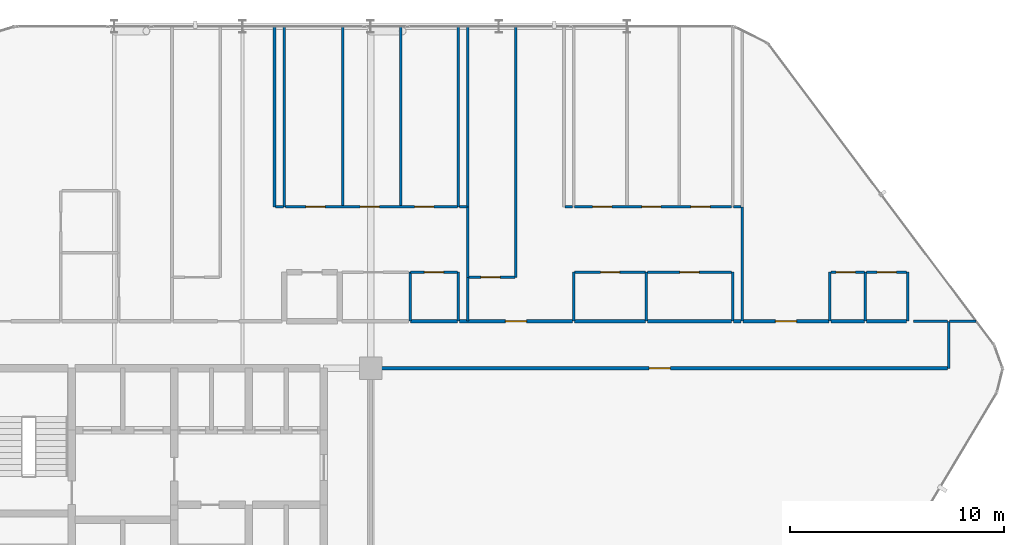
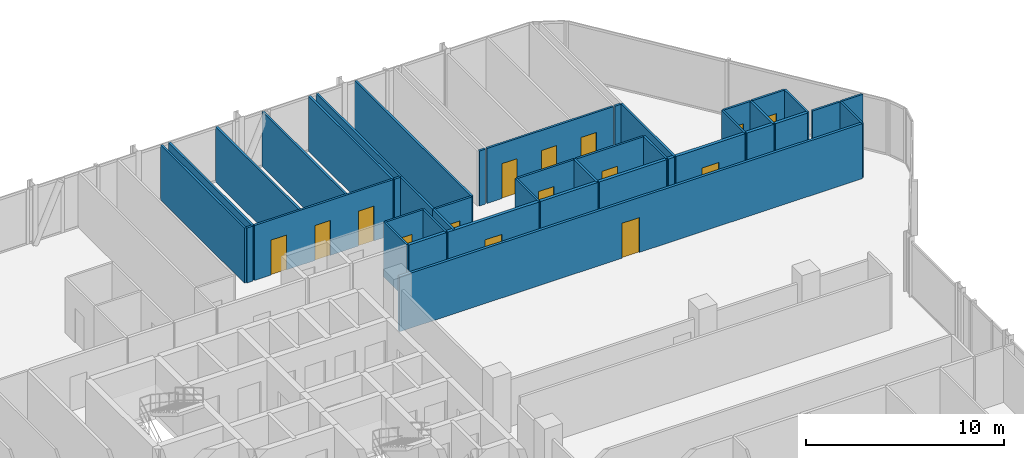
# One storey, part 27 of 29: 42 walls, 15 doors, 15 openings.
"""IFC4 building model written with IfcOpenShell, lengths in metres."""

import ifcopenshell
import ifcopenshell.guid

model = None  # the IFC model being written
_history = None  # IfcOwnerHistory: only IFC2X3 demands one
_inside = {}  # id of a spatial element -> (the spatial element, [elements in it])
_under = {}  # id of a project, library or spatial element -> (it, [spatial elements below it])
_declared = {}  # id of a project -> (the project, [libraries it declares])
_typed = {}  # id of a type object -> (the type object, [elements of that type])
_made_of = {}  # id of a material, layer set ... -> (it, [elements and type objects made of it])


def new_model(schema):
    """Start an empty IFC model of exactly this schema.

    Asked for "IFC4X3", IfcOpenShell would pick the latest addendum, in which some entities
    have other attributes; the version numbers below select the first issue.
    IFC2X3 requires an IfcOwnerHistory on every rooted entity: one is made here for all.
    """
    global model, _history
    if schema == "IFC4X3":
        model = ifcopenshell.file(schema_version=(4, 3, 0, 0))
    else:
        model = ifcopenshell.file(schema=schema)
    _inside.clear()
    _under.clear()
    _declared.clear()
    _typed.clear()
    _made_of.clear()
    _history = None
    if model.schema == "IFC2X3":
        org = make("IfcOrganization", Name="unknown")
        user = make(
            "IfcPersonAndOrganization",
            ThePerson=make("IfcPerson", FamilyName="unknown"),
            TheOrganization=org,
        )
        app = make(
            "IfcApplication",
            ApplicationDeveloper=org,
            Version="unknown",
            ApplicationFullName="unknown",
            ApplicationIdentifier="unknown",
        )
        _history = make(
            "IfcOwnerHistory",
            OwningUser=user,
            OwningApplication=app,
            ChangeAction="ADDED",
            CreationDate=0,
        )
    return model


def make(cls, **values):
    """One entity of the class cls with the attributes given. An attribute that is None is left unset."""
    return model.create_entity(
        cls, **{name: value for name, value in values.items() if value is not None}
    )


def rooted(cls, **values):
    """An entity with a GlobalId (a new one), such as an element, a storey or a relation."""
    return make(cls, GlobalId=ifcopenshell.guid.new(), OwnerHistory=_history, **values)


def si_unit(unit_type, name, prefix=None):
    """IfcSIUnit, for example si_unit("LENGTHUNIT", "METRE", prefix="MILLI")."""
    return make("IfcSIUnit", UnitType=unit_type, Prefix=prefix, Name=name)


def assignment(units):
    """IfcUnitAssignment: the units of a project."""
    return None if units is None else make("IfcUnitAssignment", Units=units)


def point(xyz):
    """IfcCartesianPoint."""
    return None if xyz is None else make("IfcCartesianPoint", Coordinates=xyz)


def direction(xyz):
    """IfcDirection."""
    return None if xyz is None else make("IfcDirection", DirectionRatios=xyz)


def frame(location, z_axis=None, x_axis=None):
    """IfcAxis2Placement3D, a coordinate frame: its origin and axes. An axis left out is left unset."""
    return make(
        "IfcAxis2Placement3D",
        Location=point(location),
        Axis=direction(z_axis),
        RefDirection=direction(x_axis),
    )


def frame_2d(location, x_axis=None):
    """IfcAxis2Placement2D, a coordinate frame in the plane: its origin and x axis."""
    return make(
        "IfcAxis2Placement2D", Location=point(location), RefDirection=direction(x_axis)
    )


def origin():
    """The frame at (0, 0, 0) with its axes left unset."""
    return frame((0.0, 0.0, 0.0))


def place(relative_to, where):
    """IfcLocalPlacement: puts the frame where relative to a parent placement (None: the world)."""
    return make(
        "IfcLocalPlacement", PlacementRelTo=relative_to, RelativePlacement=where
    )


def context(
    kind, dimensions, precision=None, world=None, true_north=None, identifier=None
):
    """IfcGeometricRepresentationContext, for example the 3D "Model" context."""
    return make(
        "IfcGeometricRepresentationContext",
        ContextIdentifier=identifier,
        ContextType=kind,
        CoordinateSpaceDimension=dimensions,
        Precision=precision,
        WorldCoordinateSystem=world,
        TrueNorth=true_north,
    )


def subcontext(parent, identifier, kind, view, scale=None):
    """IfcGeometricRepresentationSubContext, for example "Body" below "Model"."""
    return make(
        "IfcGeometricRepresentationSubContext",
        ContextIdentifier=identifier,
        ContextType=kind,
        ParentContext=parent,
        TargetScale=scale,
        TargetView=view,
    )


def project(units=None, contexts=None):
    """IfcProject with its units and contexts."""
    return rooted(
        "IfcProject",
        Name="project",
        RepresentationContexts=contexts,
        UnitsInContext=assignment(units),
    )


def spatial(cls, under=None, at=None, **own):
    """A site, building, storey or space (cls), placed at a placement, below another one or the project."""
    s = rooted(cls, ObjectPlacement=at, **own)
    if under is not None:
        _under.setdefault(under.id(), (under, []))[1].append(s)
    return s


def profile(cls, at=None, kind="AREA", **sizes):
    """A parametric profile (cls). Its sizes go by their IFC names, for example OverallWidth=200.0."""
    return make(cls, ProfileType=kind, Position=at, **sizes)


def rectangle(**sizes):
    """IfcRectangleProfileDef."""
    return profile("IfcRectangleProfileDef", **sizes)


def extrude(swept, where, along, depth):
    """IfcExtrudedAreaSolid: the profile swept, set in the frame where, extruded along a direction by depth."""
    return make(
        "IfcExtrudedAreaSolid",
        SweptArea=swept,
        Position=where,
        ExtrudedDirection=direction(along),
        Depth=depth,
    )


def shape(context_of_items, identifier, shape_type, items):
    """IfcShapeRepresentation: the items that make up one representation, for example the "Body"."""
    return make(
        "IfcShapeRepresentation",
        ContextOfItems=context_of_items,
        RepresentationIdentifier=identifier,
        RepresentationType=shape_type,
        Items=items,
    )


def material(Name=None, Category=None):
    """IfcMaterial."""
    return make("IfcMaterial", Name=Name, Category=Category)


def layer(
    of_material, thickness, ventilated=None, Name=None, Category=None, Priority=None
):
    """IfcMaterialLayer: one layer of a wall or slab, of a material (None: an air gap)."""
    return make(
        "IfcMaterialLayer",
        Material=of_material,
        LayerThickness=thickness,
        IsVentilated=ventilated,
        Name=Name,
        Category=Category,
        Priority=Priority,
    )


def layer_set(layers, Name=None):
    """IfcMaterialLayerSet."""
    return make("IfcMaterialLayerSet", MaterialLayers=layers, LayerSetName=Name)


def made_of(thing, what):
    """Note that an element or type object is made of a material, layer set ...; save() writes the relation."""
    if what is not None:
        _made_of.setdefault(what.id(), (what, []))[1].append(thing)
    return thing


def type_object(cls, material=None, **own):
    """A type object (cls), such as IfcWallType, which elements share."""
    return made_of(rooted(cls, **own), material)


def element(
    cls,
    number,
    at=None,
    inside=None,
    cuts=None,
    type_object=None,
    material=None,
    context=None,
    identifier="Body",
    shape_type=None,
    held_by="IfcProductDefinitionShape",
    body=None,
    shapes=None,
    **own,
):
    """One element of the class cls, such as IfcWall. Its Tag is "e" and its number.

    at: its placement. inside: the storey or other place that contains it. cuts: it is an
    opening in that element (IfcRelVoidsElement). A single representation is given by context,
    identifier, shape_type and body (its items); several are given by shapes. held_by: the class
    of the entity that holds the representations. save() writes the other relations.
    """
    e = rooted(cls, Tag="e%d" % number, ObjectPlacement=at, **own)
    if body is not None:
        shapes = [shape(context, identifier, shape_type, body)]
    if shapes is not None:
        e.Representation = make(held_by, Representations=shapes)
    if inside is not None:
        _inside.setdefault(inside.id(), (inside, []))[1].append(e)
    if cuts is not None:
        rooted(
            "IfcRelVoidsElement", RelatingBuildingElement=cuts, RelatedOpeningElement=e
        )
    if type_object is not None:
        _typed.setdefault(type_object.id(), (type_object, []))[1].append(e)
    return made_of(e, material)


def fill(opening, filler):
    """IfcRelFillsElement: the door or window that sits in an opening."""
    return rooted(
        "IfcRelFillsElement",
        RelatingOpeningElement=opening,
        RelatedBuildingElement=filler,
    )


def aggregate(whole, parts):
    """IfcRelAggregates: a whole, such as a stair, and the parts it consists of."""
    return rooted("IfcRelAggregates", RelatingObject=whole, RelatedObjects=parts)


def save(model, path):
    """Write the relations noted so far, then the file.

    IfcRelAggregates (storeys below a building ...), IfcRelContainedInSpatialStructure (elements
    in a storey), IfcRelDefinesByType, IfcRelAssociatesMaterial and IfcRelDeclares: one each for
    every whole, place, type object, material and project.
    """
    for whole, parts in _under.values():
        aggregate(whole, parts)
    for where, things in _inside.values():
        rooted(
            "IfcRelContainedInSpatialStructure",
            RelatedElements=things,
            RelatingStructure=where,
        )
    for kind, things in _typed.values():
        rooted("IfcRelDefinesByType", RelatedObjects=things, RelatingType=kind)
    for what, things in _made_of.values():
        rooted("IfcRelAssociatesMaterial", RelatedObjects=things, RelatingMaterial=what)
    for by, libraries in _declared.values():
        rooted("IfcRelDeclares", RelatingContext=by, RelatedDefinitions=libraries)
    model.write(path)


model = new_model("IFC4")

# Units and contexts
model_context = context("Model", 3, precision=1e-05, world=origin(), true_north=direction((0.0, 1.0)))
body_context = subcontext(model_context, "Body", "Model", "MODEL_VIEW")
ifc_project = project(units=[si_unit("LENGTHUNIT", "METRE"), si_unit("AREAUNIT", "SQUARE_METRE"), si_unit("VOLUMEUNIT", "CUBIC_METRE"), si_unit("PLANEANGLEUNIT", "RADIAN"), si_unit("MASSUNIT", "GRAM", prefix="KILO")], contexts=[model_context])

# Site, building, storey
site_placement = place(None, origin())
site = spatial("IfcSite", under=ifc_project, at=site_placement, CompositionType="ELEMENT")
building_placement = place(site_placement, origin())
building = spatial("IfcBuilding", under=site, at=building_placement, Name="Keshet Zoharim Tower", CompositionType="ELEMENT")
storey_placement = place(building_placement, frame((0.0, 0.0, 94.60009765625)))
storey = spatial("IfcBuildingStorey", under=building, at=storey_placement, Name="L22", CompositionType="ELEMENT", Elevation=94.60009765625)

# Wall, opening, door
ifc_material_1 = material(Name="Gypsum Plasterboard", Category="gypsum")
ifc_layer_1 = layer(ifc_material_1, 0.14990234375)
ifc_layer_set_1 = layer_set([ifc_layer_1], Name="Gypsum Plasterboard")
wall_type_1 = type_object("IfcWallType", Name="WL-CLIN-150", PredefinedType="STANDARD", material=ifc_layer_set_1)
wall_1_placement = place(storey_placement, frame((33.070068359375, 37.89990234375, 0.0), z_axis=(0.0, 0.0, 1.0), x_axis=(1.0, 0.0, 0.0)))
wall_1 = element("IfcWall", 1, at=wall_1_placement, inside=storey, type_object=wall_type_1, Name="L22 Interior Wall 186", PredefinedType="STANDARD", context=body_context, shape_type="SweptSolid", body=[
    extrude(rectangle(XDim=26.934814453125, YDim=0.14990234375, at=frame_2d((13.46728515625, 0.0))), origin(), (0.0, 0.0, 1.0), 3.385009765625),
])
opening_1_placement = place(wall_1_placement, frame((12.9599609375, 0.0, 0.0)))
opening_1 = element("IfcOpeningElement", 2, at=opening_1_placement, cuts=wall_1, Name="Opening D-F310", PredefinedType="OPENING", context=body_context, shape_type="SweptSolid", body=[
    extrude(rectangle(XDim=1.0, YDim=2.14990234375, at=frame_2d((0.5, 1.074951171875))), frame((0.0, 0.0849609375, 0.0), z_axis=(0.0, -1.0, 0.0), x_axis=(1.0, 0.0, 0.0)), (0.0, 0.0, 1.0), 0.169921875),
])
ifc_material_2 = material(Name="Hardwood Timber", Category="wood")
door_type_1 = type_object("IfcDoorType", Name="DR-FD30-100", OperationType="NOTDEFINED", PredefinedType="DOOR", material=ifc_material_2)
door_1_placement = place(opening_1_placement, origin())
door_1 = element("IfcDoor", 3, at=door_1_placement, inside=storey, type_object=door_type_1, Name="L22 North East Residents Services Suite Door 1", OperationType="SINGLE_SWING_LEFT", OverallHeight=2.14990234375, OverallWidth=1.0, PredefinedType="DOOR", context=body_context, shape_type="SweptSolid", body=[
    extrude(rectangle(XDim=1.0, YDim=2.14990234375, at=frame_2d((0.5, 1.074951171875))), frame((0.0, 0.02490234375, 0.0), z_axis=(0.0, -1.0, 0.0), x_axis=(1.0, 0.0, 0.0)), (0.0, 0.0, 1.0), 0.050048828125),
])
fill(opening_1, door_1)

# Wall
ifc_layer_2 = layer(ifc_material_1, 0.179931640625)
ifc_layer_set_2 = layer_set([ifc_layer_2], Name="Gypsum Plasterboard")
wall_type_2 = type_object("IfcWallType", Name="WL-CORR-180", PredefinedType="STANDARD", material=ifc_layer_set_2)
wall_2_placement = place(storey_placement, frame((34.873046875, 40.10009765625, 0.0), z_axis=(0.0, 0.0, 1.0), x_axis=(1.0, 0.0, 0.0)))
element("IfcWall", 4, at=wall_2_placement, inside=storey, type_object=wall_type_2, Name="L22 Interior Wall 195", PredefinedType="STANDARD", context=body_context, shape_type="SweptSolid", body=[
    extrude(rectangle(XDim=2.19189453125, YDim=0.179931640625, at=frame_2d((1.095947265625, 0.0))), origin(), (0.0, 0.0, 1.0), 3.385009765625),
])

# Wall, opening, door
wall_3_placement = place(storey_placement, frame((37.155029296875, 40.10009765625, 0.0), z_axis=(0.0, 0.0, 1.0), x_axis=(1.0, 0.0, 0.0)))
wall_3 = element("IfcWall", 5, at=wall_3_placement, inside=storey, type_object=wall_type_2, Name="L22 Interior Wall 196", PredefinedType="STANDARD", context=body_context, shape_type="SweptSolid", body=[
    extrude(rectangle(XDim=5.300048828125, YDim=0.179931640625, at=frame_2d((2.64990234375, 0.0))), origin(), (0.0, 0.0, 1.0), 3.385009765625),
])
opening_2_placement = place(wall_3_placement, frame((2.14990234375, 0.0, 0.0)))
opening_2 = element("IfcOpeningElement", 6, at=opening_2_placement, cuts=wall_3, Name="Opening D-F310", PredefinedType="OPENING", context=body_context, shape_type="SweptSolid", body=[
    extrude(rectangle(XDim=1.0, YDim=2.14990234375, at=frame_2d((0.5, 1.074951171875))), frame((0.0, 0.10009765625, 0.0), z_axis=(0.0, -1.0, 0.0), x_axis=(1.0, 0.0, 0.0)), (0.0, 0.0, 1.0), 0.199951171875),
])
door_2_placement = place(opening_2_placement, origin())
door_2 = element("IfcDoor", 7, at=door_2_placement, inside=storey, type_object=door_type_1, Name="Apartment 2207 Entrance Door", OperationType="SINGLE_SWING_RIGHT", OverallHeight=2.14990234375, OverallWidth=1.0, PredefinedType="DOOR", context=body_context, shape_type="SweptSolid", body=[
    extrude(rectangle(XDim=1.0, YDim=2.14990234375, at=frame_2d((0.5, 1.074951171875))), frame((0.0, 0.02490234375, 0.0), z_axis=(0.0, -1.0, 0.0), x_axis=(1.0, 0.0, 0.0)), (0.0, 0.0, 1.0), 0.050048828125),
])
fill(opening_2, door_2)

# Walls
wall_4_placement = place(storey_placement, frame((42.544921875, 40.10009765625, 0.0), z_axis=(0.0, 0.0, 1.0), x_axis=(1.0, 0.0, 0.0)))
element("IfcWall", 8, at=wall_4_placement, inside=storey, type_object=wall_type_2, Name="L22 Interior Wall 197", PredefinedType="STANDARD", context=body_context, shape_type="SweptSolid", body=[
    extrude(rectangle(XDim=3.328125, YDim=0.179931640625, at=frame_2d((1.6640625, 0.0))), origin(), (0.0, 0.0, 1.0), 3.385009765625),
])
wall_5_placement = place(storey_placement, frame((45.962890625, 40.10009765625, 0.0), z_axis=(0.0, 0.0, 1.0), x_axis=(1.0, 0.0, 0.0)))
element("IfcWall", 9, at=wall_5_placement, inside=storey, type_object=wall_type_2, Name="L22 Interior Wall 198", PredefinedType="STANDARD", context=body_context, shape_type="SweptSolid", body=[
    extrude(rectangle(XDim=3.922119140625, YDim=0.179931640625, at=frame_2d((1.9609375, 0.0))), origin(), (0.0, 0.0, 1.0), 3.385009765625),
])
wall_6_placement = place(storey_placement, frame((49.97509765625, 40.10009765625, 0.0), z_axis=(0.0, 0.0, 1.0), x_axis=(1.0, 0.0, 0.0)))
element("IfcWall", 10, at=wall_6_placement, inside=storey, type_object=wall_type_2, Name="L22 Interior Wall 199", PredefinedType="STANDARD", context=body_context, shape_type="SweptSolid", body=[
    extrude(rectangle(XDim=0.35986328125, YDim=0.179931640625, at=frame_2d((0.179931640625, 0.0))), origin(), (0.0, 0.0, 1.0), 3.385009765625),
])

# Wall, opening, door
wall_7_placement = place(storey_placement, frame((50.425048828125, 40.10009765625, 0.0), z_axis=(0.0, 0.0, 1.0), x_axis=(1.0, 0.0, 0.0)))
wall_7 = element("IfcWall", 11, at=wall_7_placement, inside=storey, type_object=wall_type_2, Name="L22 Interior Wall 200", PredefinedType="STANDARD", context=body_context, shape_type="SweptSolid", body=[
    extrude(rectangle(XDim=4.030029296875, YDim=0.179931640625, at=frame_2d((2.01513671875, 0.0))), origin(), (0.0, 0.0, 1.0), 3.385009765625),
])
opening_3_placement = place(wall_7_placement, frame((1.514892578125, 0.0, 0.0)))
opening_3 = element("IfcOpeningElement", 12, at=opening_3_placement, cuts=wall_7, Name="Opening D-F310", PredefinedType="OPENING", context=body_context, shape_type="SweptSolid", body=[
    extrude(rectangle(XDim=1.0, YDim=2.14990234375, at=frame_2d((0.5, 1.074951171875))), frame((0.0, 0.10009765625, 0.0), z_axis=(0.0, -1.0, 0.0), x_axis=(1.0, 0.0, 0.0)), (0.0, 0.0, 1.0), 0.199951171875),
])
door_3_placement = place(opening_3_placement, origin())
door_3 = element("IfcDoor", 13, at=door_3_placement, inside=storey, type_object=door_type_1, Name="Apartment 2208 Entrance Door", OperationType="SINGLE_SWING_LEFT", OverallHeight=2.14990234375, OverallWidth=1.0, PredefinedType="DOOR", context=body_context, shape_type="SweptSolid", body=[
    extrude(rectangle(XDim=1.0, YDim=2.14990234375, at=frame_2d((0.5, 1.074951171875))), frame((0.0, 0.02490234375, 0.0), z_axis=(0.0, -1.0, 0.0), x_axis=(1.0, 0.0, 0.0)), (0.0, 0.0, 1.0), 0.050048828125),
])
fill(opening_3, door_3)

# Walls
wall_8_placement = place(storey_placement, frame((54.544921875, 40.10009765625, 0.0), z_axis=(0.0, 0.0, 1.0), x_axis=(1.0, 0.0, 0.0)))
element("IfcWall", 14, at=wall_8_placement, inside=storey, type_object=wall_type_2, Name="L22 Interior Wall 201", PredefinedType="STANDARD", context=body_context, shape_type="SweptSolid", body=[
    extrude(rectangle(XDim=1.5830078125, YDim=0.179931640625, at=frame_2d((0.79150390625, 0.0))), origin(), (0.0, 0.0, 1.0), 3.385009765625),
])
wall_9_placement = place(storey_placement, frame((56.218017578125, 40.10009765625, 0.0), z_axis=(0.0, 0.0, 1.0), x_axis=(1.0, 0.0, 0.0)))
element("IfcWall", 15, at=wall_9_placement, inside=storey, type_object=wall_type_2, Name="L22 Interior Wall 202", PredefinedType="STANDARD", context=body_context, shape_type="SweptSolid", body=[
    extrude(rectangle(XDim=1.875, YDim=0.179931640625, at=frame_2d((0.9375, 0.0))), origin(), (0.0, 0.0, 1.0), 3.385009765625),
])
ifc_layer_3 = layer(ifc_material_1, 0.1201171875)
ifc_layer_set_3 = layer_set([ifc_layer_3], Name="Gypsum Plasterboard")
wall_type_3 = type_object("IfcWallType", Name="WL-PART-120", PredefinedType="PARTITIONING", material=ifc_layer_set_3)
for number, where, z_axis, x_axis, name in (
    (16, (28.5, 45.449951171875, 0.0), (0.0, 0.0, 1.0), (0.0, 1.0, 0.0), "L22 Interior Wall 055"),
    (17, (28.949951171875, 45.449951171875, 0.0), (0.0, 0.0, 1.0), (0.0, 1.0, 0.0), "L22 Interior Wall 058"),
    (18, (31.699951171875, 45.449951171875, 0.0), (0.0, 0.0, 1.0), (0.0, 1.0, 0.0), "L22 Interior Wall 069"),
    (19, (34.39990234375, 45.449951171875, 0.0), (0.0, 0.0, 1.0), (0.0, 1.0, 0.0), "L22 Interior Wall 077"),
    (20, (37.10009765625, 45.449951171875, 0.0), (0.0, 0.0, 1.0), (0.0, 1.0, 0.0), "L22 Interior Wall 082"),
):
    element("IfcWall", number, at=place(storey_placement, frame(where, z_axis=z_axis, x_axis=x_axis)), inside=storey, type_object=wall_type_3, Name=name, PredefinedType="PARTITIONING", context=body_context, shape_type="SweptSolid", body=[
        extrude(rectangle(XDim=8.43994140625, YDim=0.1201171875, at=frame_2d((4.219970703125, 0.0))), origin(), (0.0, 0.0, 1.0), 3.385009765625),
    ])
wall_10_placement = place(storey_placement, frame((37.550048828125, 40.10009765625, 0.0), z_axis=(0.0, 0.0, 1.0), x_axis=(0.0, 1.0, 0.0)))
element("IfcWall", 21, at=wall_10_placement, inside=storey, type_object=wall_type_3, Name="L22 Interior Wall 085", PredefinedType="PARTITIONING", context=body_context, shape_type="SweptSolid", body=[
    extrude(rectangle(XDim=2.0498046875, YDim=0.1201171875, at=frame_2d((1.02490234375, 0.0))), origin(), (0.0, 0.0, 1.0), 3.385009765625),
])
wall_11_placement = place(storey_placement, frame((37.550048828125, 42.14990234375, 0.0), z_axis=(0.0, 0.0, 1.0), x_axis=(0.0, 1.0, 0.0)))
element("IfcWall", 22, at=wall_11_placement, inside=storey, type_object=wall_type_3, Name="L22 Interior Wall 086", PredefinedType="PARTITIONING", context=body_context, shape_type="SweptSolid", body=[
    extrude(rectangle(XDim=3.300048828125, YDim=0.1201171875, at=frame_2d((1.64990234375, 0.0))), origin(), (0.0, 0.0, 1.0), 3.385009765625),
])
wall_12_placement = place(storey_placement, frame((37.550048828125, 45.449951171875, 0.0), z_axis=(0.0, 0.0, 1.0), x_axis=(0.0, 1.0, 0.0)))
element("IfcWall", 23, at=wall_12_placement, inside=storey, type_object=wall_type_3, Name="L22 Interior Wall 087", PredefinedType="PARTITIONING", context=body_context, shape_type="SweptSolid", body=[
    extrude(rectangle(XDim=8.43994140625, YDim=0.1201171875, at=frame_2d((4.219970703125, 0.0))), origin(), (0.0, 0.0, 1.0), 3.385009765625),
])
wall_13_placement = place(storey_placement, frame((39.800048828125, 42.14990234375, 0.0), z_axis=(0.0, 0.0, 1.0), x_axis=(0.0, 1.0, 0.0)))
element("IfcWall", 24, at=wall_13_placement, inside=storey, type_object=wall_type_3, Name="L22 Interior Wall 089", PredefinedType="PARTITIONING", context=body_context, shape_type="SweptSolid", body=[
    extrude(rectangle(XDim=11.739990234375, YDim=0.1201171875, at=frame_2d((5.8701171875, 0.0))), origin(), (0.0, 0.0, 1.0), 3.385009765625),
])
wall_14_placement = place(storey_placement, frame((42.5, 40.10009765625, 0.0), z_axis=(0.0, 0.0, 1.0), x_axis=(0.0, 1.0, 0.0)))
element("IfcWall", 25, at=wall_14_placement, inside=storey, type_object=wall_type_3, Name="L22 Interior Wall 093", PredefinedType="PARTITIONING", context=body_context, shape_type="SweptSolid", body=[
    extrude(rectangle(XDim=2.2998046875, YDim=0.1201171875, at=frame_2d((1.14990234375, 0.0))), origin(), (0.0, 0.0, 1.0), 3.385009765625),
])
wall_15_placement = place(storey_placement, frame((50.39990234375, 40.10009765625, 0.0), z_axis=(0.0, 0.0, 1.0), x_axis=(0.0, 1.0, 0.0)))
element("IfcWall", 26, at=wall_15_placement, inside=storey, type_object=wall_type_3, Name="L22 Interior Wall 106", PredefinedType="PARTITIONING", context=body_context, shape_type="SweptSolid", body=[
    extrude(rectangle(XDim=5.349853515625, YDim=0.1201171875, at=frame_2d((2.6748046875, 0.0))), origin(), (0.0, 0.0, 1.0), 3.385009765625),
])
wall_16_placement = place(storey_placement, frame((54.5, 40.10009765625, 0.0), z_axis=(0.0, 0.0, 1.0), x_axis=(0.0, 1.0, 0.0)))
element("IfcWall", 27, at=wall_16_placement, inside=storey, type_object=wall_type_3, Name="L22 Interior Wall 110", PredefinedType="PARTITIONING", context=body_context, shape_type="SweptSolid", body=[
    extrude(rectangle(XDim=2.2998046875, YDim=0.1201171875, at=frame_2d((1.14990234375, 0.0))), origin(), (0.0, 0.0, 1.0), 3.385009765625),
])
wall_17_placement = place(storey_placement, frame((60.050048828125, 37.889892578125, 0.0), z_axis=(0.0, 0.0, 1.0), x_axis=(0.0, 1.0, 0.0)))
element("IfcWall", 28, at=wall_17_placement, inside=storey, type_object=wall_type_3, Name="L22 Interior Wall 116", PredefinedType="PARTITIONING", context=body_context, shape_type="SweptSolid", body=[
    extrude(rectangle(XDim=2.2001953125, YDim=0.1201171875, at=frame_2d((1.10009765625, 0.0))), origin(), (0.0, 0.0, 1.0), 3.385009765625),
])
wall_18_placement = place(storey_placement, frame((58.39990234375, 40.10009765625, 0.0), z_axis=(0.0, 0.0, 1.0), x_axis=(1.0, 0.0, 0.0)))
element("IfcWall", 29, at=wall_18_placement, inside=storey, type_object=wall_type_3, Name="L22 Interior Wall 203", PredefinedType="PARTITIONING", context=body_context, shape_type="SweptSolid", body=[
    extrude(rectangle(XDim=1.60498046875, YDim=0.1201171875, at=frame_2d((0.802490234375, 0.0))), origin(), (0.0, 0.0, 1.0), 3.385009765625),
])
wall_19_placement = place(storey_placement, frame((60.094970703125, 40.10009765625, 0.0), z_axis=(0.0, 0.0, 1.0), x_axis=(1.0, 0.0, 0.0)))
element("IfcWall", 30, at=wall_19_placement, inside=storey, type_object=wall_type_3, Name="L22 Interior Wall 204", PredefinedType="PARTITIONING", context=body_context, shape_type="SweptSolid", body=[
    extrude(rectangle(XDim=1.2451171875, YDim=0.1201171875, at=frame_2d((0.62255859375, 0.0))), origin(), (0.0, 0.0, 1.0), 3.385009765625),
])

# Wall, opening, door
wall_20_placement = place(storey_placement, frame((37.60498046875, 42.14990234375, 0.0), z_axis=(0.0, 0.0, 1.0), x_axis=(1.0, 0.0, 0.0)))
wall_20 = element("IfcWall", 31, at=wall_20_placement, inside=storey, type_object=wall_type_3, Name="L22 Interior Wall 206", PredefinedType="PARTITIONING", context=body_context, shape_type="SweptSolid", body=[
    extrude(rectangle(XDim=2.159912109375, YDim=0.1201171875, at=frame_2d((1.080078125, 0.0))), origin(), (0.0, 0.0, 1.0), 3.385009765625),
])
opening_4_placement = place(wall_20_placement, frame((0.552978515625, 0.0, 0.0)))
opening_4 = element("IfcOpeningElement", 32, at=opening_4_placement, cuts=wall_20, Name="Opening D-IN90", PredefinedType="OPENING", context=body_context, shape_type="SweptSolid", body=[
    extrude(rectangle(XDim=0.89990234375, YDim=2.14990234375, at=frame_2d((0.449951171875, 1.074951171875))), frame((0.0, 0.070068359375, 0.0), z_axis=(0.0, -1.0, 0.0), x_axis=(1.0, 0.0, 0.0)), (0.0, 0.0, 1.0), 0.14013671875),
])
door_type_2 = type_object("IfcDoorType", Name="DR-INT-090", OperationType="NOTDEFINED", PredefinedType="DOOR", material=ifc_material_2)
door_4_placement = place(opening_4_placement, origin())
door_4 = element("IfcDoor", 33, at=door_4_placement, inside=storey, type_object=door_type_2, Name="Apartment 2207 Formal Dining Room Door", OperationType="SINGLE_SWING_LEFT", OverallHeight=2.14990234375, OverallWidth=0.89990234375, PredefinedType="DOOR", context=body_context, shape_type="SweptSolid", body=[
    extrude(rectangle(XDim=0.89990234375, YDim=2.14990234375, at=frame_2d((0.449951171875, 1.074951171875))), frame((0.0, 0.02490234375, 0.0), z_axis=(0.0, -1.0, 0.0), x_axis=(1.0, 0.0, 0.0)), (0.0, 0.0, 1.0), 0.050048828125),
])
fill(opening_4, door_4)

wall_21_placement = place(storey_placement, frame((42.544921875, 42.39990234375, 0.0), z_axis=(0.0, 0.0, 1.0), x_axis=(1.0, 0.0, 0.0)))
wall_21 = element("IfcWall", 34, at=wall_21_placement, inside=storey, type_object=wall_type_3, Name="L22 Interior Wall 210", PredefinedType="PARTITIONING", context=body_context, shape_type="SweptSolid", body=[
    extrude(rectangle(XDim=3.328125, YDim=0.1201171875, at=frame_2d((1.6640625, 0.0))), origin(), (0.0, 0.0, 1.0), 3.385009765625),
])
opening_5_placement = place(wall_21_placement, frame((1.214111328125, 0.0, 0.0)))
opening_5 = element("IfcOpeningElement", 35, at=opening_5_placement, cuts=wall_21, Name="Opening D-IN90", PredefinedType="OPENING", context=body_context, shape_type="SweptSolid", body=[
    extrude(rectangle(XDim=0.89990234375, YDim=2.14990234375, at=frame_2d((0.449951171875, 1.074951171875))), frame((0.0, 0.070068359375, 0.0), z_axis=(0.0, -1.0, 0.0), x_axis=(1.0, 0.0, 0.0)), (0.0, 0.0, 1.0), 0.14013671875),
])
door_5_placement = place(opening_5_placement, origin())
door_5 = element("IfcDoor", 36, at=door_5_placement, inside=storey, type_object=door_type_2, Name="Apartment 2207 Kitchen Door", OperationType="SINGLE_SWING_LEFT", OverallHeight=2.14990234375, OverallWidth=0.89990234375, PredefinedType="DOOR", context=body_context, shape_type="SweptSolid", body=[
    extrude(rectangle(XDim=0.89990234375, YDim=2.14990234375, at=frame_2d((0.449951171875, 1.074951171875))), frame((0.0, 0.02490234375, 0.0), z_axis=(0.0, -1.0, 0.0), x_axis=(1.0, 0.0, 0.0)), (0.0, 0.0, 1.0), 0.050048828125),
])
fill(opening_5, door_5)

wall_22_placement = place(storey_placement, frame((54.544921875, 42.39990234375, 0.0), z_axis=(0.0, 0.0, 1.0), x_axis=(1.0, 0.0, 0.0)))
wall_22 = element("IfcWall", 37, at=wall_22_placement, inside=storey, type_object=wall_type_3, Name="L22 Interior Wall 212", PredefinedType="PARTITIONING", context=body_context, shape_type="SweptSolid", body=[
    extrude(rectangle(XDim=1.5830078125, YDim=0.1201171875, at=frame_2d((0.79150390625, 0.0))), origin(), (0.0, 0.0, 1.0), 3.385009765625),
])
opening_6_placement = place(wall_22_placement, frame((0.2490234375, 0.0, 0.0)))
opening_6 = element("IfcOpeningElement", 38, at=opening_6_placement, cuts=wall_22, Name="Opening D-IN90", PredefinedType="OPENING", context=body_context, shape_type="SweptSolid", body=[
    extrude(rectangle(XDim=0.89990234375, YDim=2.14990234375, at=frame_2d((0.449951171875, 1.074951171875))), frame((0.0, 0.070068359375, 0.0), z_axis=(0.0, -1.0, 0.0), x_axis=(1.0, 0.0, 0.0)), (0.0, 0.0, 1.0), 0.14013671875),
])
door_6_placement = place(opening_6_placement, origin())
door_6 = element("IfcDoor", 39, at=door_6_placement, inside=storey, type_object=door_type_2, Name="Apartment 2208 Kitchen Door", OperationType="SINGLE_SWING_LEFT", OverallHeight=2.14990234375, OverallWidth=0.89990234375, PredefinedType="DOOR", context=body_context, shape_type="SweptSolid", body=[
    extrude(rectangle(XDim=0.89990234375, YDim=2.14990234375, at=frame_2d((0.449951171875, 1.074951171875))), frame((0.0, 0.02490234375, 0.0), z_axis=(0.0, -1.0, 0.0), x_axis=(1.0, 0.0, 0.0)), (0.0, 0.0, 1.0), 0.050048828125),
])
fill(opening_6, door_6)

# Wall
wall_23_placement = place(storey_placement, frame((28.554931640625, 45.449951171875, 0.0), z_axis=(0.0, 0.0, 1.0), x_axis=(1.0, 0.0, 0.0)))
element("IfcWall", 40, at=wall_23_placement, inside=storey, type_object=wall_type_3, Name="L22 Interior Wall 215", PredefinedType="PARTITIONING", context=body_context, shape_type="SweptSolid", body=[
    extrude(rectangle(XDim=0.360107421875, YDim=0.1201171875, at=frame_2d((0.18017578125, 0.0))), origin(), (0.0, 0.0, 1.0), 3.385009765625),
])

# Wall, openings, doors
wall_24_placement = place(storey_placement, frame((29.0048828125, 45.449951171875, 0.0), z_axis=(0.0, 0.0, 1.0), x_axis=(1.0, 0.0, 0.0)))
wall_24 = element("IfcWall", 41, at=wall_24_placement, inside=storey, type_object=wall_type_3, Name="L22 Interior Wall 216", PredefinedType="PARTITIONING", context=body_context, shape_type="SweptSolid", body=[
    extrude(rectangle(XDim=8.06005859375, YDim=0.1201171875, at=frame_2d((4.030029296875, 0.0))), origin(), (0.0, 0.0, 1.0), 3.385009765625),
])
opening_7_placement = place(wall_24_placement, frame((0.968017578125, 0.0, 0.0)))
opening_7 = element("IfcOpeningElement", 42, at=opening_7_placement, cuts=wall_24, Name="Opening D-IN90", PredefinedType="OPENING", context=body_context, shape_type="SweptSolid", body=[
    extrude(rectangle(XDim=0.89990234375, YDim=2.14990234375, at=frame_2d((0.449951171875, 1.074951171875))), frame((0.0, 0.070068359375, 0.0), z_axis=(0.0, -1.0, 0.0), x_axis=(1.0, 0.0, 0.0)), (0.0, 0.0, 1.0), 0.14013671875),
])
opening_8_placement = place(wall_24_placement, frame((3.507080078125, 0.0, 0.0)))
opening_8 = element("IfcOpeningElement", 43, at=opening_8_placement, cuts=wall_24, Name="Opening D-IN90", PredefinedType="OPENING", context=body_context, shape_type="SweptSolid", body=[
    extrude(rectangle(XDim=0.89990234375, YDim=2.14990234375, at=frame_2d((0.449951171875, 1.074951171875))), frame((0.0, 0.070068359375, 0.0), z_axis=(0.0, -1.0, 0.0), x_axis=(1.0, 0.0, 0.0)), (0.0, 0.0, 1.0), 0.14013671875),
])
opening_9_placement = place(wall_24_placement, frame((6.051025390625, 0.0, 0.0)))
opening_9 = element("IfcOpeningElement", 44, at=opening_9_placement, cuts=wall_24, Name="Opening D-IN90", PredefinedType="OPENING", context=body_context, shape_type="SweptSolid", body=[
    extrude(rectangle(XDim=0.89990234375, YDim=2.14990234375, at=frame_2d((0.449951171875, 1.074951171875))), frame((0.0, 0.070068359375, 0.0), z_axis=(0.0, -1.0, 0.0), x_axis=(1.0, 0.0, 0.0)), (0.0, 0.0, 1.0), 0.14013671875),
])
door_7_placement = place(opening_7_placement, origin())
door_7 = element("IfcDoor", 45, at=door_7_placement, inside=storey, type_object=door_type_2, Name="Apartment 2206 Bedroom 1 Door", OperationType="SINGLE_SWING_LEFT", OverallHeight=2.14990234375, OverallWidth=0.89990234375, PredefinedType="DOOR", context=body_context, shape_type="SweptSolid", body=[
    extrude(rectangle(XDim=0.89990234375, YDim=2.14990234375, at=frame_2d((0.449951171875, 1.074951171875))), frame((0.0, 0.02490234375, 0.0), z_axis=(0.0, -1.0, 0.0), x_axis=(1.0, 0.0, 0.0)), (0.0, 0.0, 1.0), 0.050048828125),
])
fill(opening_7, door_7)
door_8_placement = place(opening_8_placement, origin())
door_8 = element("IfcDoor", 46, at=door_8_placement, inside=storey, type_object=door_type_2, Name="Apartment 2206 Bedroom 2 Door", OperationType="SINGLE_SWING_RIGHT", OverallHeight=2.14990234375, OverallWidth=0.89990234375, PredefinedType="DOOR", context=body_context, shape_type="SweptSolid", body=[
    extrude(rectangle(XDim=0.89990234375, YDim=2.14990234375, at=frame_2d((0.449951171875, 1.074951171875))), frame((0.0, 0.02490234375, 0.0), z_axis=(0.0, -1.0, 0.0), x_axis=(1.0, 0.0, 0.0)), (0.0, 0.0, 1.0), 0.050048828125),
])
fill(opening_8, door_8)
door_9_placement = place(opening_9_placement, origin())
door_9 = element("IfcDoor", 47, at=door_9_placement, inside=storey, type_object=door_type_2, Name="Apartment 2206 Bedroom 3 Door", OperationType="SINGLE_SWING_LEFT", OverallHeight=2.14990234375, OverallWidth=0.89990234375, PredefinedType="DOOR", context=body_context, shape_type="SweptSolid", body=[
    extrude(rectangle(XDim=0.89990234375, YDim=2.14990234375, at=frame_2d((0.449951171875, 1.074951171875))), frame((0.0, 0.02490234375, 0.0), z_axis=(0.0, -1.0, 0.0), x_axis=(1.0, 0.0, 0.0)), (0.0, 0.0, 1.0), 0.050048828125),
])
fill(opening_9, door_9)

# Walls
wall_25_placement = place(storey_placement, frame((37.155029296875, 45.449951171875, 0.0), z_axis=(0.0, 0.0, 1.0), x_axis=(1.0, 0.0, 0.0)))
element("IfcWall", 48, at=wall_25_placement, inside=storey, type_object=wall_type_3, Name="L22 Interior Wall 217", PredefinedType="PARTITIONING", context=body_context, shape_type="SweptSolid", body=[
    extrude(rectangle(XDim=0.35986328125, YDim=0.1201171875, at=frame_2d((0.179931640625, 0.0))), origin(), (0.0, 0.0, 1.0), 3.385009765625),
])
wall_26_placement = place(storey_placement, frame((42.094970703125, 45.449951171875, 0.0), z_axis=(0.0, 0.0, 1.0), x_axis=(1.0, 0.0, 0.0)))
element("IfcWall", 49, at=wall_26_placement, inside=storey, type_object=wall_type_3, Name="L22 Interior Wall 218", PredefinedType="PARTITIONING", context=body_context, shape_type="SweptSolid", body=[
    extrude(rectangle(XDim=0.360107421875, YDim=0.1201171875, at=frame_2d((0.18017578125, 0.0))), origin(), (0.0, 0.0, 1.0), 3.385009765625),
])

# Wall, openings, doors
wall_27_placement = place(storey_placement, frame((42.544921875, 45.449951171875, 0.0), z_axis=(0.0, 0.0, 1.0), x_axis=(1.0, 0.0, 0.0)))
wall_27 = element("IfcWall", 50, at=wall_27_placement, inside=storey, type_object=wall_type_3, Name="L22 Interior Wall 219", PredefinedType="PARTITIONING", context=body_context, shape_type="SweptSolid", body=[
    extrude(rectangle(XDim=7.340087890625, YDim=0.1201171875, at=frame_2d((3.669921875, 0.0))), origin(), (0.0, 0.0, 1.0), 3.385009765625),
])
opening_10_placement = place(wall_27_placement, frame((0.845947265625, 0.0, 0.0)))
opening_10 = element("IfcOpeningElement", 51, at=opening_10_placement, cuts=wall_27, Name="Opening D-IN90", PredefinedType="OPENING", context=body_context, shape_type="SweptSolid", body=[
    extrude(rectangle(XDim=0.89990234375, YDim=2.14990234375, at=frame_2d((0.449951171875, 1.074951171875))), frame((0.0, 0.070068359375, 0.0), z_axis=(0.0, -1.0, 0.0), x_axis=(1.0, 0.0, 0.0)), (0.0, 0.0, 1.0), 0.14013671875),
])
opening_11_placement = place(wall_27_placement, frame((3.14501953125, 0.0, 0.0)))
opening_11 = element("IfcOpeningElement", 52, at=opening_11_placement, cuts=wall_27, Name="Opening D-IN90", PredefinedType="OPENING", context=body_context, shape_type="SweptSolid", body=[
    extrude(rectangle(XDim=0.89990234375, YDim=2.14990234375, at=frame_2d((0.449951171875, 1.074951171875))), frame((0.0, 0.070068359375, 0.0), z_axis=(0.0, -1.0, 0.0), x_axis=(1.0, 0.0, 0.0)), (0.0, 0.0, 1.0), 0.14013671875),
])
opening_12_placement = place(wall_27_placement, frame((5.448974609375, 0.0, 0.0)))
opening_12 = element("IfcOpeningElement", 53, at=opening_12_placement, cuts=wall_27, Name="Opening D-IN90", PredefinedType="OPENING", context=body_context, shape_type="SweptSolid", body=[
    extrude(rectangle(XDim=0.89990234375, YDim=2.14990234375, at=frame_2d((0.449951171875, 1.074951171875))), frame((0.0, 0.070068359375, 0.0), z_axis=(0.0, -1.0, 0.0), x_axis=(1.0, 0.0, 0.0)), (0.0, 0.0, 1.0), 0.14013671875),
])
door_10_placement = place(opening_10_placement, origin())
door_10 = element("IfcDoor", 54, at=door_10_placement, inside=storey, type_object=door_type_2, Name="Apartment 2207 Bedroom 1 Door", OperationType="SINGLE_SWING_RIGHT", OverallHeight=2.14990234375, OverallWidth=0.89990234375, PredefinedType="DOOR", context=body_context, shape_type="SweptSolid", body=[
    extrude(rectangle(XDim=0.89990234375, YDim=2.14990234375, at=frame_2d((0.449951171875, 1.074951171875))), frame((0.0, 0.02490234375, 0.0), z_axis=(0.0, -1.0, 0.0), x_axis=(1.0, 0.0, 0.0)), (0.0, 0.0, 1.0), 0.050048828125),
])
fill(opening_10, door_10)
door_11_placement = place(opening_11_placement, origin())
door_11 = element("IfcDoor", 55, at=door_11_placement, inside=storey, type_object=door_type_2, Name="Apartment 2207 Bedroom 2 Door", OperationType="SINGLE_SWING_LEFT", OverallHeight=2.14990234375, OverallWidth=0.89990234375, PredefinedType="DOOR", context=body_context, shape_type="SweptSolid", body=[
    extrude(rectangle(XDim=0.89990234375, YDim=2.14990234375, at=frame_2d((0.449951171875, 1.074951171875))), frame((0.0, 0.02490234375, 0.0), z_axis=(0.0, -1.0, 0.0), x_axis=(1.0, 0.0, 0.0)), (0.0, 0.0, 1.0), 0.050048828125),
])
fill(opening_11, door_11)
door_12_placement = place(opening_12_placement, origin())
door_12 = element("IfcDoor", 56, at=door_12_placement, inside=storey, type_object=door_type_2, Name="Apartment 2207 Bedroom 3 Door", OperationType="SINGLE_SWING_RIGHT", OverallHeight=2.14990234375, OverallWidth=0.89990234375, PredefinedType="DOOR", context=body_context, shape_type="SweptSolid", body=[
    extrude(rectangle(XDim=0.89990234375, YDim=2.14990234375, at=frame_2d((0.449951171875, 1.074951171875))), frame((0.0, 0.02490234375, 0.0), z_axis=(0.0, -1.0, 0.0), x_axis=(1.0, 0.0, 0.0)), (0.0, 0.0, 1.0), 0.050048828125),
])
fill(opening_12, door_12)

# Walls
wall_28_placement = place(storey_placement, frame((49.97509765625, 45.449951171875, 0.0), z_axis=(0.0, 0.0, 1.0), x_axis=(1.0, 0.0, 0.0)))
element("IfcWall", 57, at=wall_28_placement, inside=storey, type_object=wall_type_3, Name="L22 Interior Wall 220", PredefinedType="PARTITIONING", context=body_context, shape_type="SweptSolid", body=[
    extrude(rectangle(XDim=0.35986328125, YDim=0.1201171875, at=frame_2d((0.179931640625, 0.0))), origin(), (0.0, 0.0, 1.0), 3.385009765625),
])
ifc_layer_4 = layer(ifc_material_1, 0.1201171875)
ifc_layer_set_4 = layer_set([ifc_layer_4], Name="Gypsum Plasterboard")
wall_type_4 = type_object("IfcWallType", Name="WL-WET-120", PredefinedType="PARTITIONING", material=ifc_layer_set_4)
for number, where, z_axis, x_axis, name in (
    (58, (34.85009765625, 40.10009765625, 0.0), (0.0, 0.0, 1.0), (0.0, 1.0, 0.0), "L22 Interior Wall 079"),
    (59, (37.10009765625, 40.10009765625, 0.0), (0.0, 0.0, 1.0), (0.0, 1.0, 0.0), "L22 Interior Wall 081"),
    (60, (45.89990234375, 40.10009765625, 0.0), (0.0, 0.0, 1.0), (0.0, 1.0, 0.0), "L22 Interior Wall 099"),
    (61, (49.949951171875, 40.10009765625, 0.0), (0.0, 0.0, 1.0), (0.0, 1.0, 0.0), "L22 Interior Wall 104"),
    (62, (56.14990234375, 40.10009765625, 0.0), (0.0, 0.0, 1.0), (0.0, 1.0, 0.0), "L22 Interior Wall 113"),
    (63, (58.14990234375, 40.10009765625, 0.0), (0.0, 0.0, 1.0), (0.0, 1.0, 0.0), "L22 Interior Wall 115"),
):
    element("IfcWall", number, at=place(storey_placement, frame(where, z_axis=z_axis, x_axis=x_axis)), inside=storey, type_object=wall_type_4, Name=name, PredefinedType="PARTITIONING", context=body_context, shape_type="SweptSolid", body=[
        extrude(rectangle(XDim=2.2998046875, YDim=0.1201171875, at=frame_2d((1.14990234375, 0.0))), origin(), (0.0, 0.0, 1.0), 3.385009765625),
    ])

# Wall, opening, door
wall_29_placement = place(storey_placement, frame((34.873046875, 42.39990234375, 0.0), z_axis=(0.0, 0.0, 1.0), x_axis=(1.0, 0.0, 0.0)))
wall_29 = element("IfcWall", 64, at=wall_29_placement, inside=storey, type_object=wall_type_4, Name="L22 Interior Wall 209", PredefinedType="PARTITIONING", context=body_context, shape_type="SweptSolid", body=[
    extrude(rectangle(XDim=2.19189453125, YDim=0.1201171875, at=frame_2d((1.095947265625, 0.0))), origin(), (0.0, 0.0, 1.0), 3.385009765625),
])
opening_13_placement = place(wall_29_placement, frame((0.64599609375, 0.0, 0.0)))
opening_13 = element("IfcOpeningElement", 65, at=opening_13_placement, cuts=wall_29, Name="Opening D-WT90", PredefinedType="OPENING", context=body_context, shape_type="SweptSolid", body=[
    extrude(rectangle(XDim=0.89990234375, YDim=2.10009765625, at=frame_2d((0.449951171875, 1.050048828125))), frame((0.0, 0.070068359375, 0.0), z_axis=(0.0, -1.0, 0.0), x_axis=(1.0, 0.0, 0.0)), (0.0, 0.0, 1.0), 0.14013671875),
])
door_type_3 = type_object("IfcDoorType", Name="DR-WET-090", OperationType="NOTDEFINED", PredefinedType="DOOR", material=ifc_material_2)
door_13_placement = place(opening_13_placement, origin())
door_13 = element("IfcDoor", 66, at=door_13_placement, inside=storey, type_object=door_type_3, Name="Apartment 2206 Bathroom Door", OperationType="SINGLE_SWING_RIGHT", OverallHeight=2.10009765625, OverallWidth=0.89990234375, PredefinedType="DOOR", context=body_context, shape_type="SweptSolid", body=[
    extrude(rectangle(XDim=0.89990234375, YDim=2.10009765625, at=frame_2d((0.449951171875, 1.050048828125))), frame((0.0, 0.02490234375, 0.0), z_axis=(0.0, -1.0, 0.0), x_axis=(1.0, 0.0, 0.0)), (0.0, 0.0, 1.0), 0.050048828125),
])
fill(opening_13, door_13)

wall_30_placement = place(storey_placement, frame((45.962890625, 42.39990234375, 0.0), z_axis=(0.0, 0.0, 1.0), x_axis=(1.0, 0.0, 0.0)))
wall_30 = element("IfcWall", 67, at=wall_30_placement, inside=storey, type_object=wall_type_4, Name="L22 Interior Wall 211", PredefinedType="PARTITIONING", context=body_context, shape_type="SweptSolid", body=[
    extrude(rectangle(XDim=3.922119140625, YDim=0.1201171875, at=frame_2d((1.9609375, 0.0))), origin(), (0.0, 0.0, 1.0), 3.385009765625),
])
opening_14_placement = place(wall_30_placement, frame((1.510986328125, 0.0, 0.0)))
opening_14 = element("IfcOpeningElement", 68, at=opening_14_placement, cuts=wall_30, Name="Opening D-WT90", PredefinedType="OPENING", context=body_context, shape_type="SweptSolid", body=[
    extrude(rectangle(XDim=0.89990234375, YDim=2.10009765625, at=frame_2d((0.449951171875, 1.050048828125))), frame((0.0, 0.070068359375, 0.0), z_axis=(0.0, -1.0, 0.0), x_axis=(1.0, 0.0, 0.0)), (0.0, 0.0, 1.0), 0.14013671875),
])
door_14_placement = place(opening_14_placement, origin())
door_14 = element("IfcDoor", 69, at=door_14_placement, inside=storey, type_object=door_type_3, Name="Apartment 2207 Bathroom Door", OperationType="SINGLE_SWING_RIGHT", OverallHeight=2.10009765625, OverallWidth=0.89990234375, PredefinedType="DOOR", context=body_context, shape_type="SweptSolid", body=[
    extrude(rectangle(XDim=0.89990234375, YDim=2.10009765625, at=frame_2d((0.449951171875, 1.050048828125))), frame((0.0, 0.02490234375, 0.0), z_axis=(0.0, -1.0, 0.0), x_axis=(1.0, 0.0, 0.0)), (0.0, 0.0, 1.0), 0.050048828125),
])
fill(opening_14, door_14)

wall_31_placement = place(storey_placement, frame((56.218017578125, 42.39990234375, 0.0), z_axis=(0.0, 0.0, 1.0), x_axis=(1.0, 0.0, 0.0)))
wall_31 = element("IfcWall", 70, at=wall_31_placement, inside=storey, type_object=wall_type_4, Name="L22 Interior Wall 213", PredefinedType="PARTITIONING", context=body_context, shape_type="SweptSolid", body=[
    extrude(rectangle(XDim=1.875, YDim=0.1201171875, at=frame_2d((0.9375, 0.0))), origin(), (0.0, 0.0, 1.0), 3.385009765625),
])
opening_15_placement = place(wall_31_placement, frame((0.488037109375, 0.0, 0.0)))
opening_15 = element("IfcOpeningElement", 71, at=opening_15_placement, cuts=wall_31, Name="Opening D-WT90", PredefinedType="OPENING", context=body_context, shape_type="SweptSolid", body=[
    extrude(rectangle(XDim=0.89990234375, YDim=2.10009765625, at=frame_2d((0.449951171875, 1.050048828125))), frame((0.0, 0.070068359375, 0.0), z_axis=(0.0, -1.0, 0.0), x_axis=(1.0, 0.0, 0.0)), (0.0, 0.0, 1.0), 0.14013671875),
])
door_15_placement = place(opening_15_placement, origin())
door_15 = element("IfcDoor", 72, at=door_15_placement, inside=storey, type_object=door_type_3, Name="Apartment 2208 Bathroom Door", OperationType="SINGLE_SWING_RIGHT", OverallHeight=2.10009765625, OverallWidth=0.89990234375, PredefinedType="DOOR", context=body_context, shape_type="SweptSolid", body=[
    extrude(rectangle(XDim=0.89990234375, YDim=2.10009765625, at=frame_2d((0.449951171875, 1.050048828125))), frame((0.0, 0.02490234375, 0.0), z_axis=(0.0, -1.0, 0.0), x_axis=(1.0, 0.0, 0.0)), (0.0, 0.0, 1.0), 0.050048828125),
])
fill(opening_15, door_15)

save(model, "model.ifc")
